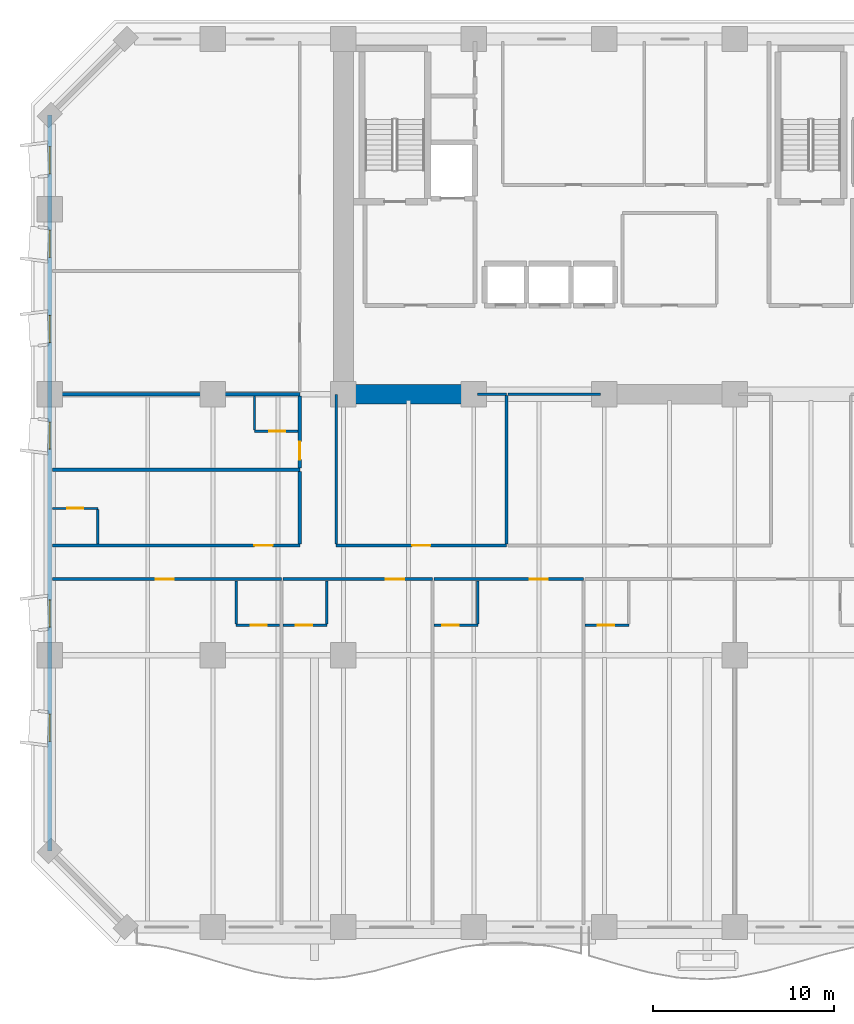
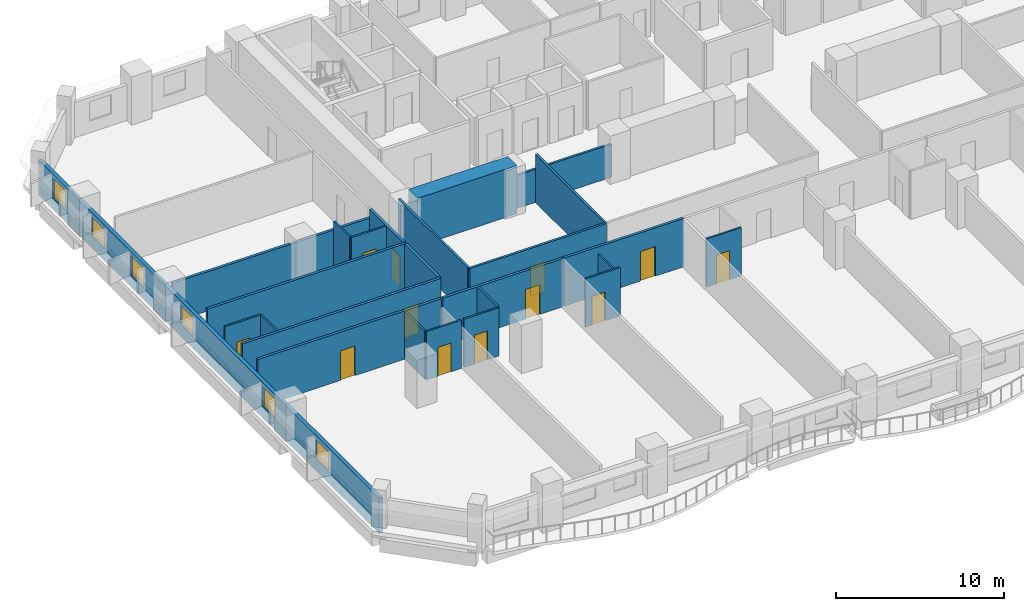
# One storey, part 4 of 15: 26 walls, 12 doors, 6 windows, 18 openings.
"""IFC4 building model written with IfcOpenShell, lengths in metres."""

from ifc_helpers import new_model, si_unit, direction, frame, frame_2d, origin, place, context, subcontext, project, spatial, rectangle, extrude, material, layer, layer_set, type_object, element, fill, save


model = new_model("IFC4")

# Units and contexts
model_context = context("Model", 3, precision=1e-05, world=origin(), true_north=direction((0.0, 1.0)))
body_context = subcontext(model_context, "Body", "Model", "MODEL_VIEW")
ifc_project = project(units=[si_unit("LENGTHUNIT", "METRE"), si_unit("AREAUNIT", "SQUARE_METRE"), si_unit("VOLUMEUNIT", "CUBIC_METRE"), si_unit("PLANEANGLEUNIT", "RADIAN"), si_unit("MASSUNIT", "GRAM", prefix="KILO")], contexts=[model_context])

# Site, building, storey
site_placement = place(None, origin())
site = spatial("IfcSite", under=ifc_project, at=site_placement, CompositionType="ELEMENT")
building_placement = place(site_placement, origin())
building = spatial("IfcBuilding", under=site, at=building_placement, Name="Kaelvorn Grand Hotel", CompositionType="ELEMENT")
storey_placement = place(building_placement, frame((0.0, 0.0, 72.64990234375)))
storey = spatial("IfcBuildingStorey", under=building, at=storey_placement, Name="L16", CompositionType="ELEMENT", Elevation=72.64990234375)

# Wall
ifc_material_1 = material(Name="Concrete C80/95", Category="concrete")
ifc_layer_1 = layer(ifc_material_1, 1.10009765625)
ifc_layer_set_1 = layer_set([ifc_layer_1], Name="Concrete C80/95")
wall_type_1 = type_object("IfcWallType", Name="WL-CORE-1100-C80", PredefinedType="SHEAR", material=ifc_layer_set_1)
wall_1_placement = place(storey_placement, frame((16.7548828125, 29.39990234375, 0.0), z_axis=(0.0, 0.0, 1.0), x_axis=(1.0, 0.0, 0.0)))
element("IfcWall", 1, at=wall_1_placement, inside=storey, type_object=wall_type_1, Name="L16 Rear-Core Coupled Shear Pier S1", PredefinedType="SHEAR", context=body_context, shape_type="SweptSolid", body=[
    extrude(rectangle(XDim=6.84521484375, YDim=1.10009765625, at=frame_2d((3.422607421875, 0.0))), origin(), (0.0, 0.0, 1.0), 3.510009765625),
])

# Wall, openings, windows
ifc_material_2 = material(Name="Concrete C40/50", Category="concrete")
ifc_layer_2 = layer(ifc_material_2, 0.260009765625)
ifc_layer_set_2 = layer_set([ifc_layer_2], Name="Concrete C40/50")
wall_type_2 = type_object("IfcWallType", Name="WL-EXT-260-C40", PredefinedType="SOLIDWALL", material=ifc_layer_set_2)
wall_2_placement = place(storey_placement, frame((0.0, 44.800048828125, 0.0), z_axis=(0.0, 0.0, 1.0), x_axis=(0.0, -1.0, 0.0)))
wall_2 = element("IfcWall", 2, at=wall_2_placement, inside=storey, type_object=wall_type_2, Name="L16 Exterior Architectural Concrete Wall 07", PredefinedType="SOLIDWALL", context=body_context, shape_type="SweptSolid", body=[
    extrude(rectangle(XDim=40.60009765625, YDim=0.260009765625, at=frame_2d((20.300048828125, 0.0))), origin(), (0.0, 0.0, 1.0), 2.56005859375),
])
opening_1_placement = place(wall_2_placement, frame((33.050048828125, 0.0, 0.85009765625)))
opening_1 = element("IfcOpeningElement", 3, at=opening_1_placement, cuts=wall_2, Name="Opening W10", PredefinedType="OPENING", context=body_context, shape_type="SweptSolid", body=[
    extrude(rectangle(XDim=1.5, YDim=1.39990234375, at=frame_2d((0.75, 0.699951171875))), frame((0.0, 0.14013671875, 0.0), z_axis=(0.0, -1.0, 0.0), x_axis=(1.0, 0.0, 0.0)), (0.0, 0.0, 1.0), 0.280029296875),
])
opening_2_placement = place(wall_2_placement, frame((26.75, 0.0, 0.85009765625)))
opening_2 = element("IfcOpeningElement", 4, at=opening_2_placement, cuts=wall_2, Name="Opening W10", PredefinedType="OPENING", context=body_context, shape_type="SweptSolid", body=[
    extrude(rectangle(XDim=1.5, YDim=1.39990234375, at=frame_2d((0.75, 0.699951171875))), frame((0.0, 0.14013671875, 0.0), z_axis=(0.0, -1.0, 0.0), x_axis=(1.0, 0.0, 0.0)), (0.0, 0.0, 1.0), 0.280029296875),
])
opening_3_placement = place(wall_2_placement, frame((16.93505859375, 0.0, 0.85009765625)))
opening_3 = element("IfcOpeningElement", 5, at=opening_3_placement, cuts=wall_2, Name="Opening W10", PredefinedType="OPENING", context=body_context, shape_type="SweptSolid", body=[
    extrude(rectangle(XDim=1.5, YDim=1.39990234375, at=frame_2d((0.75, 0.699951171875))), frame((0.0, 0.14013671875, 0.0), z_axis=(0.0, -1.0, 0.0), x_axis=(1.0, 0.0, 0.0)), (0.0, 0.0, 1.0), 0.280029296875),
])
opening_4_placement = place(wall_2_placement, frame((11.050048828125, 0.0, 0.85009765625)))
opening_4 = element("IfcOpeningElement", 6, at=opening_4_placement, cuts=wall_2, Name="Opening W10", PredefinedType="OPENING", context=body_context, shape_type="SweptSolid", body=[
    extrude(rectangle(XDim=1.5, YDim=1.39990234375, at=frame_2d((0.75, 0.699951171875))), frame((0.0, 0.14013671875, 0.0), z_axis=(0.0, -1.0, 0.0), x_axis=(1.0, 0.0, 0.0)), (0.0, 0.0, 1.0), 0.280029296875),
])
opening_5_placement = place(wall_2_placement, frame((6.35009765625, 0.0, 0.85009765625)))
opening_5 = element("IfcOpeningElement", 7, at=opening_5_placement, cuts=wall_2, Name="Opening W10", PredefinedType="OPENING", context=body_context, shape_type="SweptSolid", body=[
    extrude(rectangle(XDim=1.5, YDim=1.39990234375, at=frame_2d((0.75, 0.699951171875))), frame((0.0, 0.14013671875, 0.0), z_axis=(0.0, -1.0, 0.0), x_axis=(1.0, 0.0, 0.0)), (0.0, 0.0, 1.0), 0.280029296875),
])
opening_6_placement = place(wall_2_placement, frame((1.735107421875, 0.0, 0.85009765625)))
opening_6 = element("IfcOpeningElement", 8, at=opening_6_placement, cuts=wall_2, Name="Opening W10", PredefinedType="OPENING", context=body_context, shape_type="SweptSolid", body=[
    extrude(rectangle(XDim=1.5, YDim=1.39990234375, at=frame_2d((0.75, 0.699951171875))), frame((0.0, 0.14013671875, 0.0), z_axis=(0.0, -1.0, 0.0), x_axis=(1.0, 0.0, 0.0)), (0.0, 0.0, 1.0), 0.280029296875),
])
ifc_material_3 = material(Name="Laminated Low-E Glass", Category="glass")
window_type = type_object("IfcWindowType", Name="WIN-COR-1500x1400", PartitioningType="SINGLE_PANEL", PredefinedType="WINDOW", material=ifc_material_3)
window_1_placement = place(opening_1_placement, origin())
window_1 = element("IfcWindow", 9, at=window_1_placement, inside=storey, type_object=window_type, Name="L16 W Wing Tilted-Frame Ribbon Window W01", OverallHeight=1.39990234375, OverallWidth=1.5, PartitioningType="SINGLE_PANEL", PredefinedType="WINDOW", context=body_context, shape_type="SweptSolid", body=[
    extrude(rectangle(XDim=1.5, YDim=1.39990234375, at=frame_2d((0.75, 0.699951171875))), frame((0.0, 0.030029296875, 0.0), z_axis=(0.0, -1.0, 0.0), x_axis=(1.0, 0.0, 0.0)), (0.0, 0.0, 1.0), 0.06005859375),
])
fill(opening_1, window_1)
window_2_placement = place(opening_2_placement, origin())
window_2 = element("IfcWindow", 10, at=window_2_placement, inside=storey, type_object=window_type, Name="L16 W Wing Tilted-Frame Ribbon Window W02", OverallHeight=1.39990234375, OverallWidth=1.5, PartitioningType="SINGLE_PANEL", PredefinedType="WINDOW", context=body_context, shape_type="SweptSolid", body=[
    extrude(rectangle(XDim=1.5, YDim=1.39990234375, at=frame_2d((0.75, 0.699951171875))), frame((0.0, 0.030029296875, 0.0), z_axis=(0.0, -1.0, 0.0), x_axis=(1.0, 0.0, 0.0)), (0.0, 0.0, 1.0), 0.06005859375),
])
fill(opening_2, window_2)
window_3_placement = place(opening_3_placement, origin())
window_3 = element("IfcWindow", 11, at=window_3_placement, inside=storey, type_object=window_type, Name="L16 W Wing Tilted-Frame Ribbon Window W03", OverallHeight=1.39990234375, OverallWidth=1.5, PartitioningType="SINGLE_PANEL", PredefinedType="WINDOW", context=body_context, shape_type="SweptSolid", body=[
    extrude(rectangle(XDim=1.5, YDim=1.39990234375, at=frame_2d((0.75, 0.699951171875))), frame((0.0, 0.030029296875, 0.0), z_axis=(0.0, -1.0, 0.0), x_axis=(1.0, 0.0, 0.0)), (0.0, 0.0, 1.0), 0.06005859375),
])
fill(opening_3, window_3)
window_4_placement = place(opening_4_placement, origin())
window_4 = element("IfcWindow", 12, at=window_4_placement, inside=storey, type_object=window_type, Name="L16 W Wing Tilted-Frame Ribbon Window W04", OverallHeight=1.39990234375, OverallWidth=1.5, PartitioningType="SINGLE_PANEL", PredefinedType="WINDOW", context=body_context, shape_type="SweptSolid", body=[
    extrude(rectangle(XDim=1.5, YDim=1.39990234375, at=frame_2d((0.75, 0.699951171875))), frame((0.0, 0.030029296875, 0.0), z_axis=(0.0, -1.0, 0.0), x_axis=(1.0, 0.0, 0.0)), (0.0, 0.0, 1.0), 0.06005859375),
])
fill(opening_4, window_4)
window_5_placement = place(opening_5_placement, origin())
window_5 = element("IfcWindow", 13, at=window_5_placement, inside=storey, type_object=window_type, Name="L16 W Wing Tilted-Frame Ribbon Window W05", OverallHeight=1.39990234375, OverallWidth=1.5, PartitioningType="SINGLE_PANEL", PredefinedType="WINDOW", context=body_context, shape_type="SweptSolid", body=[
    extrude(rectangle(XDim=1.5, YDim=1.39990234375, at=frame_2d((0.75, 0.699951171875))), frame((0.0, 0.030029296875, 0.0), z_axis=(0.0, -1.0, 0.0), x_axis=(1.0, 0.0, 0.0)), (0.0, 0.0, 1.0), 0.06005859375),
])
fill(opening_5, window_5)
window_6_placement = place(opening_6_placement, origin())
window_6 = element("IfcWindow", 14, at=window_6_placement, inside=storey, type_object=window_type, Name="L16 W Wing Tilted-Frame Ribbon Window W06", OverallHeight=1.39990234375, OverallWidth=1.5, PartitioningType="SINGLE_PANEL", PredefinedType="WINDOW", context=body_context, shape_type="SweptSolid", body=[
    extrude(rectangle(XDim=1.5, YDim=1.39990234375, at=frame_2d((0.75, 0.699951171875))), frame((0.0, 0.030029296875, 0.0), z_axis=(0.0, -1.0, 0.0), x_axis=(1.0, 0.0, 0.0)), (0.0, 0.0, 1.0), 0.06005859375),
])
fill(opening_6, window_6)

# Wall, opening, door
ifc_material_4 = material(Name="Moisture-Resistant Tile & Stud Board")
ifc_layer_3 = layer(ifc_material_4, 0.125)
ifc_layer_set_3 = layer_set([ifc_layer_3], Name="Moisture-Resistant Tile & Stud Board")
wall_type_3 = type_object("IfcWallType", Name="WL-PART-125-WET", PredefinedType="PARTITIONING", material=ifc_layer_set_3)
wall_3_placement = place(storey_placement, frame((10.283203125, 16.64990234375, 0.0), z_axis=(0.0, 0.0, 1.0), x_axis=(1.0, 0.0, 0.0)))
wall_3 = element("IfcWall", 15, at=wall_3_placement, inside=storey, type_object=wall_type_3, Name="L16 En-suite Bathroom L16-01 S Partition", PredefinedType="PARTITIONING", context=body_context, shape_type="SweptSolid", body=[
    extrude(rectangle(XDim=2.405029296875, YDim=0.125, at=frame_2d((1.20263671875, 0.0))), origin(), (0.0, 0.0, 1.0), 3.510009765625),
])
opening_7_placement = place(wall_3_placement, frame((0.800048828125, 0.0, 0.0)))
opening_7 = element("IfcOpeningElement", 16, at=opening_7_placement, cuts=wall_3, Name="Opening DI4", PredefinedType="OPENING", context=body_context, shape_type="SweptSolid", body=[
    extrude(rectangle(XDim=0.89990234375, YDim=2.10009765625, at=frame_2d((0.449951171875, 1.050048828125))), frame((0.0, 0.072509765625, 0.0), z_axis=(0.0, -1.0, 0.0), x_axis=(1.0, 0.0, 0.0)), (0.0, 0.0, 1.0), 0.14501953125),
])
ifc_material_5 = material(Name="Timber Veneer Leaf", Category="wood")
door_type_1 = type_object("IfcDoorType", Name="DR-INT-BATH-900x2100", OperationType="NOTDEFINED", PredefinedType="DOOR", material=ifc_material_5)
door_1_placement = place(opening_7_placement, origin())
door_1 = element("IfcDoor", 17, at=door_1_placement, inside=storey, type_object=door_type_1, Name="L16 En-suite Bathroom L16-01 Door", OperationType="SINGLE_SWING_RIGHT", OverallHeight=2.10009765625, OverallWidth=0.89990234375, PredefinedType="DOOR", context=body_context, shape_type="SweptSolid", body=[
    extrude(rectangle(XDim=0.89990234375, YDim=2.10009765625, at=frame_2d((0.449951171875, 1.050048828125))), frame((0.0, 0.02490234375, 0.0), z_axis=(0.0, -1.0, 0.0), x_axis=(1.0, 0.0, 0.0)), (0.0, 0.0, 1.0), 0.050048828125),
])
fill(opening_7, door_1)

# Wall
wall_4_placement = place(storey_placement, frame((10.283203125, 16.717529296875, 0.0), z_axis=(0.0, 0.0, 1.0), x_axis=(0.0, 1.0, 0.0)))
element("IfcWall", 18, at=wall_4_placement, inside=storey, type_object=wall_type_3, Name="L16 En-suite Bathroom L16-01 W Partition", PredefinedType="PARTITIONING", context=body_context, shape_type="SweptSolid", body=[
    extrude(rectangle(XDim=2.387451171875, YDim=0.125, at=frame_2d((1.19384765625, 0.0))), origin(), (0.0, 0.0, 1.0), 3.510009765625),
])

# Wall, opening, door
wall_5_placement = place(storey_placement, frame((12.87841796875, 16.64990234375, 0.0), z_axis=(0.0, 0.0, 1.0), x_axis=(1.0, 0.0, 0.0)))
wall_5 = element("IfcWall", 19, at=wall_5_placement, inside=storey, type_object=wall_type_3, Name="L16 En-suite Bathroom L16-02 S Partition", PredefinedType="PARTITIONING", context=body_context, shape_type="SweptSolid", body=[
    extrude(rectangle(XDim=2.40478515625, YDim=0.125, at=frame_2d((1.202392578125, 0.0))), origin(), (0.0, 0.0, 1.0), 3.510009765625),
])
opening_8_placement = place(wall_5_placement, frame((0.705078125, 0.0, 0.0)))
opening_8 = element("IfcOpeningElement", 20, at=opening_8_placement, cuts=wall_5, Name="Opening DI4", PredefinedType="OPENING", context=body_context, shape_type="SweptSolid", body=[
    extrude(rectangle(XDim=0.89990234375, YDim=2.10009765625, at=frame_2d((0.449951171875, 1.050048828125))), frame((0.0, 0.072509765625, 0.0), z_axis=(0.0, -1.0, 0.0), x_axis=(1.0, 0.0, 0.0)), (0.0, 0.0, 1.0), 0.14501953125),
])
door_2_placement = place(opening_8_placement, origin())
door_2 = element("IfcDoor", 21, at=door_2_placement, inside=storey, type_object=door_type_1, Name="L16 En-suite Bathroom L16-02 Door", OperationType="SINGLE_SWING_RIGHT", OverallHeight=2.10009765625, OverallWidth=0.89990234375, PredefinedType="DOOR", context=body_context, shape_type="SweptSolid", body=[
    extrude(rectangle(XDim=0.89990234375, YDim=2.10009765625, at=frame_2d((0.449951171875, 1.050048828125))), frame((0.0, 0.02490234375, 0.0), z_axis=(0.0, -1.0, 0.0), x_axis=(1.0, 0.0, 0.0)), (0.0, 0.0, 1.0), 0.050048828125),
])
fill(opening_8, door_2)

# Wall
wall_6_placement = place(storey_placement, frame((15.283203125, 16.717529296875, 0.0), z_axis=(0.0, 0.0, 1.0), x_axis=(0.0, 1.0, 0.0)))
element("IfcWall", 22, at=wall_6_placement, inside=storey, type_object=wall_type_3, Name="L16 En-suite Bathroom L16-02 E Partition", PredefinedType="PARTITIONING", context=body_context, shape_type="SweptSolid", body=[
    extrude(rectangle(XDim=2.387451171875, YDim=0.125, at=frame_2d((1.19384765625, 0.0))), origin(), (0.0, 0.0, 1.0), 3.510009765625),
])

# Wall, opening, door
wall_7_placement = place(storey_placement, frame((21.211669921875, 16.64990234375, 0.0), z_axis=(0.0, 0.0, 1.0), x_axis=(1.0, 0.0, 0.0)))
wall_7 = element("IfcWall", 23, at=wall_7_placement, inside=storey, type_object=wall_type_3, Name="L16 En-suite Bathroom L16-03 S Partition", PredefinedType="PARTITIONING", context=body_context, shape_type="SweptSolid", body=[
    extrude(rectangle(XDim=2.405029296875, YDim=0.125, at=frame_2d((1.20263671875, 0.0))), origin(), (0.0, 0.0, 1.0), 3.510009765625),
])
opening_9_placement = place(wall_7_placement, frame((0.455078125, 0.0, 0.0)))
opening_9 = element("IfcOpeningElement", 24, at=opening_9_placement, cuts=wall_7, Name="Opening DI4", PredefinedType="OPENING", context=body_context, shape_type="SweptSolid", body=[
    extrude(rectangle(XDim=0.89990234375, YDim=2.10009765625, at=frame_2d((0.449951171875, 1.050048828125))), frame((0.0, 0.072509765625, 0.0), z_axis=(0.0, -1.0, 0.0), x_axis=(1.0, 0.0, 0.0)), (0.0, 0.0, 1.0), 0.14501953125),
])
door_3_placement = place(opening_9_placement, origin())
door_3 = element("IfcDoor", 25, at=door_3_placement, inside=storey, type_object=door_type_1, Name="L16 En-suite Bathroom L16-03 Door", OperationType="SINGLE_SWING_RIGHT", OverallHeight=2.10009765625, OverallWidth=0.89990234375, PredefinedType="DOOR", context=body_context, shape_type="SweptSolid", body=[
    extrude(rectangle(XDim=0.89990234375, YDim=2.10009765625, at=frame_2d((0.449951171875, 1.050048828125))), frame((0.0, 0.02490234375, 0.0), z_axis=(0.0, -1.0, 0.0), x_axis=(1.0, 0.0, 0.0)), (0.0, 0.0, 1.0), 0.050048828125),
])
fill(opening_9, door_3)

# Wall
wall_8_placement = place(storey_placement, frame((23.61669921875, 16.717529296875, 0.0), z_axis=(0.0, 0.0, 1.0), x_axis=(0.0, 1.0, 0.0)))
element("IfcWall", 26, at=wall_8_placement, inside=storey, type_object=wall_type_3, Name="L16 En-suite Bathroom L16-03 E Partition", PredefinedType="PARTITIONING", context=body_context, shape_type="SweptSolid", body=[
    extrude(rectangle(XDim=2.387451171875, YDim=0.125, at=frame_2d((1.19384765625, 0.0))), origin(), (0.0, 0.0, 1.0), 2.97705078125),
])

# Wall, opening, door
wall_9_placement = place(storey_placement, frame((29.544921875, 16.64990234375, 0.0), z_axis=(0.0, 0.0, 1.0), x_axis=(1.0, 0.0, 0.0)))
wall_9 = element("IfcWall", 27, at=wall_9_placement, inside=storey, type_object=wall_type_3, Name="L16 En-suite Bathroom L16-04 S Partition", PredefinedType="PARTITIONING", context=body_context, shape_type="SweptSolid", body=[
    extrude(rectangle(XDim=2.405029296875, YDim=0.125, at=frame_2d((1.20263671875, 0.0))), origin(), (0.0, 0.0, 1.0), 3.510009765625),
])
opening_10_placement = place(wall_9_placement, frame((0.705078125, 0.0, 0.0)))
opening_10 = element("IfcOpeningElement", 28, at=opening_10_placement, cuts=wall_9, Name="Opening DI4", PredefinedType="OPENING", context=body_context, shape_type="SweptSolid", body=[
    extrude(rectangle(XDim=0.89990234375, YDim=2.10009765625, at=frame_2d((0.449951171875, 1.050048828125))), frame((0.0, 0.072509765625, 0.0), z_axis=(0.0, -1.0, 0.0), x_axis=(1.0, 0.0, 0.0)), (0.0, 0.0, 1.0), 0.14501953125),
])
door_4_placement = place(opening_10_placement, origin())
door_4 = element("IfcDoor", 29, at=door_4_placement, inside=storey, type_object=door_type_1, Name="L16 En-suite Bathroom L16-04 Door", OperationType="SINGLE_SWING_RIGHT", OverallHeight=2.10009765625, OverallWidth=0.89990234375, PredefinedType="DOOR", context=body_context, shape_type="SweptSolid", body=[
    extrude(rectangle(XDim=0.89990234375, YDim=2.10009765625, at=frame_2d((0.449951171875, 1.050048828125))), frame((0.0, 0.02490234375, 0.0), z_axis=(0.0, -1.0, 0.0), x_axis=(1.0, 0.0, 0.0)), (0.0, 0.0, 1.0), 0.050048828125),
])
fill(opening_10, door_4)

wall_10_placement = place(storey_placement, frame((0.14990234375, 23.10009765625, 0.0), z_axis=(0.0, 0.0, 1.0), x_axis=(1.0, 0.0, 0.0)))
wall_10 = element("IfcWall", 30, at=wall_10_placement, inside=storey, type_object=wall_type_3, Name="L16 En-suite Bathroom L16-10 N Partition", PredefinedType="PARTITIONING", context=body_context, shape_type="SweptSolid", body=[
    extrude(rectangle(XDim=2.5, YDim=0.125, at=frame_2d((1.25, 0.0))), origin(), (0.0, 0.0, 1.0), 3.510009765625),
])
opening_11_placement = place(wall_10_placement, frame((0.800048828125, 0.0, 0.0)))
opening_11 = element("IfcOpeningElement", 31, at=opening_11_placement, cuts=wall_10, Name="Opening DI4", PredefinedType="OPENING", context=body_context, shape_type="SweptSolid", body=[
    extrude(rectangle(XDim=0.89990234375, YDim=2.10009765625, at=frame_2d((0.449951171875, 1.050048828125))), frame((0.0, 0.072509765625, 0.0), z_axis=(0.0, -1.0, 0.0), x_axis=(1.0, 0.0, 0.0)), (0.0, 0.0, 1.0), 0.14501953125),
])
door_5_placement = place(opening_11_placement, origin())
door_5 = element("IfcDoor", 32, at=door_5_placement, inside=storey, type_object=door_type_1, Name="L16 En-suite Bathroom L16-10 Door", OperationType="SINGLE_SWING_RIGHT", OverallHeight=2.10009765625, OverallWidth=0.89990234375, PredefinedType="DOOR", context=body_context, shape_type="SweptSolid", body=[
    extrude(rectangle(XDim=0.89990234375, YDim=2.10009765625, at=frame_2d((0.449951171875, 1.050048828125))), frame((0.0, 0.02490234375, 0.0), z_axis=(0.0, -1.0, 0.0), x_axis=(1.0, 0.0, 0.0)), (0.0, 0.0, 1.0), 0.050048828125),
])
fill(opening_11, door_5)

# Wall
wall_11_placement = place(storey_placement, frame((2.64990234375, 21.14501953125, 0.0), z_axis=(0.0, 0.0, 1.0), x_axis=(0.0, 1.0, 0.0)))
element("IfcWall", 33, at=wall_11_placement, inside=storey, type_object=wall_type_3, Name="L16 En-suite Bathroom L16-10 E Partition", PredefinedType="PARTITIONING", context=body_context, shape_type="SweptSolid", body=[
    extrude(rectangle(XDim=1.887451171875, YDim=0.125, at=frame_2d((0.94384765625, 0.0))), origin(), (0.0, 0.0, 1.0), 3.510009765625),
])

# Wall, opening, door
wall_12_placement = place(storey_placement, frame((11.300048828125, 27.35009765625, 0.0), z_axis=(0.0, 0.0, 1.0), x_axis=(1.0, 0.0, 0.0)))
wall_12 = element("IfcWall", 34, at=wall_12_placement, inside=storey, type_object=wall_type_3, Name="L16 En-suite Bathroom L16-11 S Partition", PredefinedType="PARTITIONING", context=body_context, shape_type="SweptSolid", body=[
    extrude(rectangle(XDim=2.405029296875, YDim=0.125, at=frame_2d((1.20263671875, 0.0))), origin(), (0.0, 0.0, 1.0), 3.510009765625),
])
opening_12_placement = place(wall_12_placement, frame((0.800048828125, 0.0, 0.0)))
opening_12 = element("IfcOpeningElement", 35, at=opening_12_placement, cuts=wall_12, Name="Opening DI4", PredefinedType="OPENING", context=body_context, shape_type="SweptSolid", body=[
    extrude(rectangle(XDim=0.89990234375, YDim=2.10009765625, at=frame_2d((0.449951171875, 1.050048828125))), frame((0.0, 0.072509765625, 0.0), z_axis=(0.0, -1.0, 0.0), x_axis=(1.0, 0.0, 0.0)), (0.0, 0.0, 1.0), 0.14501953125),
])
door_6_placement = place(opening_12_placement, origin())
door_6 = element("IfcDoor", 36, at=door_6_placement, inside=storey, type_object=door_type_1, Name="L16 En-suite Bathroom L16-11 Door", OperationType="SINGLE_SWING_RIGHT", OverallHeight=2.10009765625, OverallWidth=0.89990234375, PredefinedType="DOOR", context=body_context, shape_type="SweptSolid", body=[
    extrude(rectangle(XDim=0.89990234375, YDim=2.10009765625, at=frame_2d((0.449951171875, 1.050048828125))), frame((0.0, 0.02490234375, 0.0), z_axis=(0.0, -1.0, 0.0), x_axis=(1.0, 0.0, 0.0)), (0.0, 0.0, 1.0), 0.050048828125),
])
fill(opening_12, door_6)

# Wall
wall_13_placement = place(storey_placement, frame((11.300048828125, 27.41748046875, 0.0), z_axis=(0.0, 0.0, 1.0), x_axis=(0.0, 1.0, 0.0)))
element("IfcWall", 37, at=wall_13_placement, inside=storey, type_object=wall_type_3, Name="L16 En-suite Bathroom L16-11 W Partition", PredefinedType="PARTITIONING", context=body_context, shape_type="SweptSolid", body=[
    extrude(rectangle(XDim=1.887451171875, YDim=0.125, at=frame_2d((0.94384765625, 0.0))), origin(), (0.0, 0.0, 1.0), 3.510009765625),
])

# Wall, opening, door
ifc_material_6 = material(Name="Acoustic Gypsum & Stud Partition")
ifc_layer_4 = layer(ifc_material_6, 0.14990234375)
ifc_layer_set_4 = layer_set([ifc_layer_4], Name="Acoustic Gypsum & Stud Partition")
wall_type_4 = type_object("IfcWallType", Name="WL-PART-150-EI60", PredefinedType="PARTITIONING", material=ifc_layer_set_4)
wall_14_placement = place(storey_placement, frame((15.800048828125, 21.050048828125, 0.0), z_axis=(0.0, 0.0, 1.0), x_axis=(1.0, 0.0, 0.0)))
wall_14 = element("IfcWall", 38, at=wall_14_placement, inside=storey, type_object=wall_type_4, Name="L16 Private Cinema Lounge S Partition", PredefinedType="PARTITIONING", context=body_context, shape_type="SweptSolid", body=[
    extrude(rectangle(XDim=9.39990234375, YDim=0.14990234375, at=frame_2d((4.699951171875, 0.0))), origin(), (0.0, 0.0, 1.0), 3.510009765625),
])
opening_13_placement = place(wall_14_placement, frame((4.199951171875, 0.0, 0.0)))
opening_13 = element("IfcOpeningElement", 39, at=opening_13_placement, cuts=wall_14, Name="Opening DI3", PredefinedType="OPENING", context=body_context, shape_type="SweptSolid", body=[
    extrude(rectangle(XDim=1.0, YDim=2.14990234375, at=frame_2d((0.5, 1.074951171875))), frame((0.0, 0.0849609375, 0.0), z_axis=(0.0, -1.0, 0.0), x_axis=(1.0, 0.0, 0.0)), (0.0, 0.0, 1.0), 0.169921875),
])
ifc_material_7 = material(Name="Timber Veneer Fire Leaf", Category="wood")
door_type_2 = type_object("IfcDoorType", Name="DR-INT-GUEST-1000x2150", OperationType="NOTDEFINED", PredefinedType="DOOR", material=ifc_material_7)
door_7_placement = place(opening_13_placement, origin())
door_7 = element("IfcDoor", 40, at=door_7_placement, inside=storey, type_object=door_type_2, Name="L16 Private Cinema Lounge Door", OperationType="SINGLE_SWING_LEFT", OverallHeight=2.14990234375, OverallWidth=1.0, PredefinedType="DOOR", context=body_context, shape_type="SweptSolid", body=[
    extrude(rectangle(XDim=1.0, YDim=2.14990234375, at=frame_2d((0.5, 1.074951171875))), frame((0.0, 0.02490234375, 0.0), z_axis=(0.0, -1.0, 0.0), x_axis=(1.0, 0.0, 0.0)), (0.0, 0.0, 1.0), 0.050048828125),
])
fill(opening_13, door_7)

# Walls
wall_15_placement = place(storey_placement, frame((23.610107421875, 29.39990234375, 0.0), z_axis=(0.0, 0.0, 1.0), x_axis=(1.0, 0.0, 0.0)))
element("IfcWall", 41, at=wall_15_placement, inside=storey, type_object=wall_type_4, Name="L16 Private Cinema Lounge N Partition", PredefinedType="PARTITIONING", context=body_context, shape_type="SweptSolid", body=[
    extrude(rectangle(XDim=1.58984375, YDim=0.14990234375, at=frame_2d((0.794921875, 0.0))), origin(), (0.0, 0.0, 1.0), 2.41015625),
])
wall_16_placement = place(storey_placement, frame((15.800048828125, 21.1298828125, 0.0), z_axis=(0.0, 0.0, 1.0), x_axis=(0.0, 1.0, 0.0)))
element("IfcWall", 42, at=wall_16_placement, inside=storey, type_object=wall_type_4, Name="L16 Private Cinema Lounge W Partition", PredefinedType="PARTITIONING", context=body_context, shape_type="SweptSolid", body=[
    extrude(rectangle(XDim=8.260009765625, YDim=0.14990234375, at=frame_2d((4.1298828125, 0.0))), origin(), (0.0, 0.0, 1.0), 3.510009765625),
])
wall_17_placement = place(storey_placement, frame((25.199951171875, 21.1298828125, 0.0), z_axis=(0.0, 0.0, 1.0), x_axis=(0.0, 1.0, 0.0)))
element("IfcWall", 43, at=wall_17_placement, inside=storey, type_object=wall_type_4, Name="L16 Private Cinema Lounge E Partition", PredefinedType="PARTITIONING", context=body_context, shape_type="SweptSolid", body=[
    extrude(rectangle(XDim=8.190185546875, YDim=0.14990234375, at=frame_2d((4.09521484375, 0.0))), origin(), (0.0, 0.0, 1.0), 3.510009765625),
])
wall_18_placement = place(storey_placement, frame((25.280029296875, 29.39990234375, 0.0), z_axis=(0.0, 0.0, 1.0), x_axis=(1.0, 0.0, 0.0)))
element("IfcWall", 44, at=wall_18_placement, inside=storey, type_object=wall_type_4, Name="L16 Sommelier Wine Bar N Partition (1)", PredefinedType="PARTITIONING", context=body_context, shape_type="SweptSolid", body=[
    extrude(rectangle(XDim=5.10986328125, YDim=0.14990234375, at=frame_2d((2.554931640625, 0.0))), origin(), (0.0, 0.0, 1.0), 2.41015625),
])

# Wall, opening, door
ifc_layer_5 = layer(ifc_material_6, 0.179931640625)
ifc_layer_set_5 = layer_set([ifc_layer_5], Name="Acoustic Gypsum & Stud Partition")
wall_type_5 = type_object("IfcWallType", Name="WL-PART-180-EI60", PredefinedType="PARTITIONING", material=ifc_layer_set_5)
wall_19_placement = place(storey_placement, frame((0.14990234375, 19.199951171875, 0.0), z_axis=(0.0, 0.0, 1.0), x_axis=(1.0, 0.0, 0.0)))
wall_19 = element("IfcWall", 45, at=wall_19_placement, inside=storey, type_object=wall_type_5, Name="L16 Deluxe Panoramic Suite L16-01 N Partition", PredefinedType="PARTITIONING", context=body_context, shape_type="SweptSolid", body=[
    extrude(rectangle(XDim=12.63330078125, YDim=0.179931640625, at=frame_2d((6.316650390625, 0.0))), origin(), (0.0, 0.0, 1.0), 3.510009765625),
])
opening_14_placement = place(wall_19_placement, frame((5.68505859375, 0.0, 0.0)))
opening_14 = element("IfcOpeningElement", 46, at=opening_14_placement, cuts=wall_19, Name="Opening DI3", PredefinedType="OPENING", context=body_context, shape_type="SweptSolid", body=[
    extrude(rectangle(XDim=1.0, YDim=2.14990234375, at=frame_2d((0.5, 1.074951171875))), frame((0.0, 0.10009765625, 0.0), z_axis=(0.0, -1.0, 0.0), x_axis=(1.0, 0.0, 0.0)), (0.0, 0.0, 1.0), 0.199951171875),
])
door_8_placement = place(opening_14_placement, origin())
door_8 = element("IfcDoor", 47, at=door_8_placement, inside=storey, type_object=door_type_2, Name="L16 Deluxe Panoramic Suite L16-01 Door", OperationType="SINGLE_SWING_LEFT", OverallHeight=2.14990234375, OverallWidth=1.0, PredefinedType="DOOR", context=body_context, shape_type="SweptSolid", body=[
    extrude(rectangle(XDim=1.0, YDim=2.14990234375, at=frame_2d((0.5, 1.074951171875))), frame((0.0, 0.02490234375, 0.0), z_axis=(0.0, -1.0, 0.0), x_axis=(1.0, 0.0, 0.0)), (0.0, 0.0, 1.0), 0.050048828125),
])
fill(opening_14, door_8)

wall_20_placement = place(storey_placement, frame((12.87841796875, 19.199951171875, 0.0), z_axis=(0.0, 0.0, 1.0), x_axis=(1.0, 0.0, 0.0)))
wall_20 = element("IfcWall", 48, at=wall_20_placement, inside=storey, type_object=wall_type_5, Name="L16 Deluxe Panoramic Suite L16-02 N Partition", PredefinedType="PARTITIONING", context=body_context, shape_type="SweptSolid", body=[
    extrude(rectangle(XDim=8.23828125, YDim=0.179931640625, at=frame_2d((4.119140625, 0.0))), origin(), (0.0, 0.0, 1.0), 3.510009765625),
])
opening_15_placement = place(wall_20_placement, frame((5.669921875, 0.0, 0.0)))
opening_15 = element("IfcOpeningElement", 49, at=opening_15_placement, cuts=wall_20, Name="Opening DI3", PredefinedType="OPENING", context=body_context, shape_type="SweptSolid", body=[
    extrude(rectangle(XDim=1.0, YDim=2.14990234375, at=frame_2d((0.5, 1.074951171875))), frame((0.0, 0.10009765625, 0.0), z_axis=(0.0, -1.0, 0.0), x_axis=(1.0, 0.0, 0.0)), (0.0, 0.0, 1.0), 0.199951171875),
])
door_9_placement = place(opening_15_placement, origin())
door_9 = element("IfcDoor", 50, at=door_9_placement, inside=storey, type_object=door_type_2, Name="L16 Deluxe Panoramic Suite L16-02 Door", OperationType="SINGLE_SWING_LEFT", OverallHeight=2.14990234375, OverallWidth=1.0, PredefinedType="DOOR", context=body_context, shape_type="SweptSolid", body=[
    extrude(rectangle(XDim=1.0, YDim=2.14990234375, at=frame_2d((0.5, 1.074951171875))), frame((0.0, 0.02490234375, 0.0), z_axis=(0.0, -1.0, 0.0), x_axis=(1.0, 0.0, 0.0)), (0.0, 0.0, 1.0), 0.050048828125),
])
fill(opening_15, door_9)

wall_21_placement = place(storey_placement, frame((21.211669921875, 19.199951171875, 0.0), z_axis=(0.0, 0.0, 1.0), x_axis=(1.0, 0.0, 0.0)))
wall_21 = element("IfcWall", 51, at=wall_21_placement, inside=storey, type_object=wall_type_5, Name="L16 Deluxe Panoramic Suite L16-03 N Partition", PredefinedType="PARTITIONING", context=body_context, shape_type="SweptSolid", body=[
    extrude(rectangle(XDim=8.23828125, YDim=0.179931640625, at=frame_2d((4.119140625, 0.0))), origin(), (0.0, 0.0, 1.0), 3.510009765625),
])
opening_16_placement = place(wall_21_placement, frame((5.271484375, 0.0, 0.0)))
opening_16 = element("IfcOpeningElement", 52, at=opening_16_placement, cuts=wall_21, Name="Opening DI3", PredefinedType="OPENING", context=body_context, shape_type="SweptSolid", body=[
    extrude(rectangle(XDim=1.0, YDim=2.14990234375, at=frame_2d((0.5, 1.074951171875))), frame((0.0, 0.10009765625, 0.0), z_axis=(0.0, -1.0, 0.0), x_axis=(1.0, 0.0, 0.0)), (0.0, 0.0, 1.0), 0.199951171875),
])
door_10_placement = place(opening_16_placement, origin())
door_10 = element("IfcDoor", 53, at=door_10_placement, inside=storey, type_object=door_type_2, Name="L16 Deluxe Panoramic Suite L16-03 Door", OperationType="SINGLE_SWING_LEFT", OverallHeight=2.14990234375, OverallWidth=1.0, PredefinedType="DOOR", context=body_context, shape_type="SweptSolid", body=[
    extrude(rectangle(XDim=1.0, YDim=2.14990234375, at=frame_2d((0.5, 1.074951171875))), frame((0.0, 0.02490234375, 0.0), z_axis=(0.0, -1.0, 0.0), x_axis=(1.0, 0.0, 0.0)), (0.0, 0.0, 1.0), 0.050048828125),
])
fill(opening_16, door_10)

wall_22_placement = place(storey_placement, frame((0.14990234375, 21.050048828125, 0.0), z_axis=(0.0, 0.0, 1.0), x_axis=(1.0, 0.0, 0.0)))
wall_22 = element("IfcWall", 54, at=wall_22_placement, inside=storey, type_object=wall_type_5, Name="L16 West Wing Panoramic Suite L16-10 S Partition", PredefinedType="PARTITIONING", context=body_context, shape_type="SweptSolid", body=[
    extrude(rectangle(XDim=13.650146484375, YDim=0.179931640625, at=frame_2d((6.8251953125, 0.0))), origin(), (0.0, 0.0, 1.0), 3.510009765625),
])
opening_17_placement = place(wall_22_placement, frame((11.139892578125, 0.0, 0.0)))
opening_17 = element("IfcOpeningElement", 55, at=opening_17_placement, cuts=wall_22, Name="Opening DI3", PredefinedType="OPENING", context=body_context, shape_type="SweptSolid", body=[
    extrude(rectangle(XDim=1.0, YDim=2.14990234375, at=frame_2d((0.5, 1.074951171875))), frame((0.0, 0.10009765625, 0.0), z_axis=(0.0, -1.0, 0.0), x_axis=(1.0, 0.0, 0.0)), (0.0, 0.0, 1.0), 0.199951171875),
])
door_11_placement = place(opening_17_placement, origin())
door_11 = element("IfcDoor", 56, at=door_11_placement, inside=storey, type_object=door_type_2, Name="L16 West Wing Panoramic Suite L16-10 Door", OperationType="SINGLE_SWING_LEFT", OverallHeight=2.14990234375, OverallWidth=1.0, PredefinedType="DOOR", context=body_context, shape_type="SweptSolid", body=[
    extrude(rectangle(XDim=1.0, YDim=2.14990234375, at=frame_2d((0.5, 1.074951171875))), frame((0.0, 0.02490234375, 0.0), z_axis=(0.0, -1.0, 0.0), x_axis=(1.0, 0.0, 0.0)), (0.0, 0.0, 1.0), 0.050048828125),
])
fill(opening_17, door_11)

# Walls
wall_23_placement = place(storey_placement, frame((0.14990234375, 25.22998046875, 0.0), z_axis=(0.0, 0.0, 1.0), x_axis=(1.0, 0.0, 0.0)))
element("IfcWall", 57, at=wall_23_placement, inside=storey, type_object=wall_type_5, Name="L16 West Wing Panoramic Suite L16-10 N Partition", PredefinedType="PARTITIONING", context=body_context, shape_type="SweptSolid", body=[
    extrude(rectangle(XDim=13.650146484375, YDim=0.179931640625, at=frame_2d((6.8251953125, 0.0))), origin(), (0.0, 0.0, 1.0), 3.510009765625),
])
wall_24_placement = place(storey_placement, frame((13.800048828125, 21.14501953125, 0.0), z_axis=(0.0, 0.0, 1.0), x_axis=(0.0, 1.0, 0.0)))
element("IfcWall", 58, at=wall_24_placement, inside=storey, type_object=wall_type_5, Name="L16 West Wing Panoramic Suite L16-10 E Partition", PredefinedType="PARTITIONING", context=body_context, shape_type="SweptSolid", body=[
    extrude(rectangle(XDim=3.989990234375, YDim=0.179931640625, at=frame_2d((1.9951171875, 0.0))), origin(), (0.0, 0.0, 1.0), 3.510009765625),
])
wall_25_placement = place(storey_placement, frame((0.14990234375, 29.39990234375, 0.0), z_axis=(0.0, 0.0, 1.0), x_axis=(1.0, 0.0, 0.0)))
element("IfcWall", 59, at=wall_25_placement, inside=storey, type_object=wall_type_5, Name="L16 West Mid-Wing Suite L16-11 N Partition", PredefinedType="PARTITIONING", context=body_context, shape_type="SweptSolid", body=[
    extrude(rectangle(XDim=13.650146484375, YDim=0.179931640625, at=frame_2d((6.8251953125, 0.0))), origin(), (0.0, 0.0, 1.0), 2.860107421875),
])

# Wall, opening, door
wall_26_placement = place(storey_placement, frame((13.800048828125, 25.324951171875, 0.0), z_axis=(0.0, 0.0, 1.0), x_axis=(0.0, 1.0, 0.0)))
wall_26 = element("IfcWall", 60, at=wall_26_placement, inside=storey, type_object=wall_type_5, Name="L16 West Mid-Wing Suite L16-11 E Partition", PredefinedType="PARTITIONING", context=body_context, shape_type="SweptSolid", body=[
    extrude(rectangle(XDim=3.97998046875, YDim=0.179931640625, at=frame_2d((1.989990234375, 0.0))), origin(), (0.0, 0.0, 1.0), 3.510009765625),
])
opening_18_placement = place(wall_26_placement, frame((0.465087890625, 0.0, 0.0)))
opening_18 = element("IfcOpeningElement", 61, at=opening_18_placement, cuts=wall_26, Name="Opening DI3", PredefinedType="OPENING", context=body_context, shape_type="SweptSolid", body=[
    extrude(rectangle(XDim=1.0, YDim=2.14990234375, at=frame_2d((0.5, 1.074951171875))), frame((0.0, 0.10009765625, 0.0), z_axis=(0.0, -1.0, 0.0), x_axis=(1.0, 0.0, 0.0)), (0.0, 0.0, 1.0), 0.199951171875),
])
door_12_placement = place(opening_18_placement, origin())
door_12 = element("IfcDoor", 62, at=door_12_placement, inside=storey, type_object=door_type_2, Name="L16 West Mid-Wing Suite L16-11 Door", OperationType="SINGLE_SWING_LEFT", OverallHeight=2.14990234375, OverallWidth=1.0, PredefinedType="DOOR", context=body_context, shape_type="SweptSolid", body=[
    extrude(rectangle(XDim=1.0, YDim=2.14990234375, at=frame_2d((0.5, 1.074951171875))), frame((0.0, 0.02490234375, 0.0), z_axis=(0.0, -1.0, 0.0), x_axis=(1.0, 0.0, 0.0)), (0.0, 0.0, 1.0), 0.050048828125),
])
fill(opening_18, door_12)

save(model, "model.ifc")
